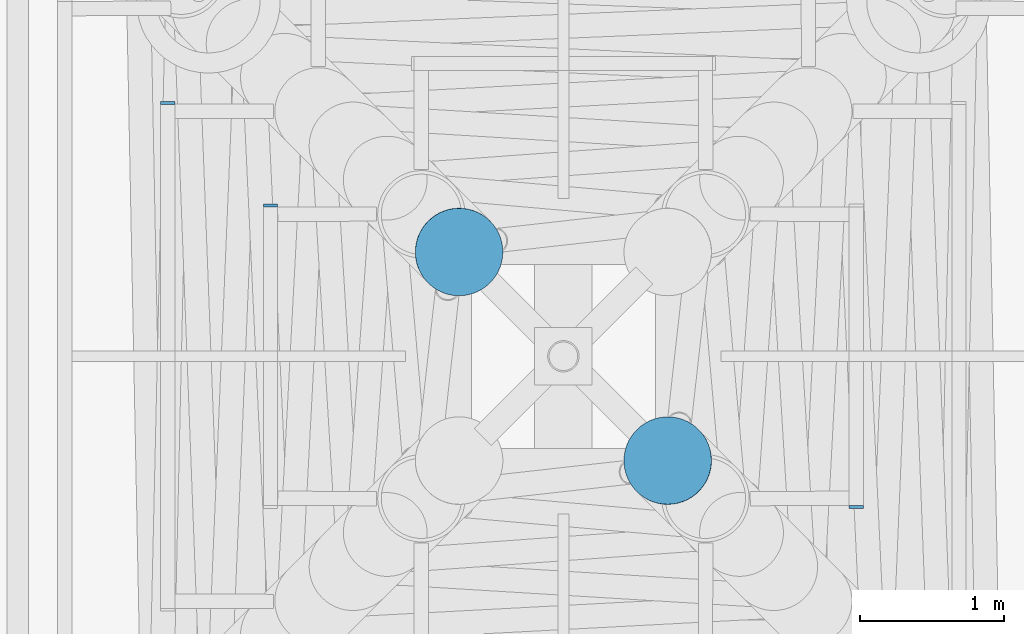
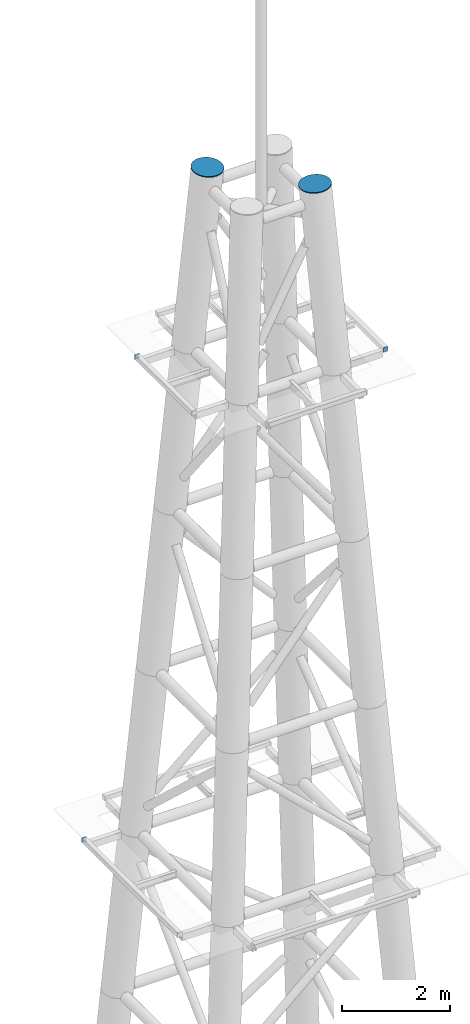
# One storey, part 29 of 36: 5 discrete accessories.
"""IFC4 building model written with IfcOpenShell, lengths in metres."""

from ifc_helpers import new_model, si_unit, direction, frame, origin, origin_2d, place, context, subcontext, project, spatial, rectangle, circle, extrude, material, material_profile, profile_set, type_object, element, save


model = new_model("IFC4")

# Units and contexts
model_context = context("Model", 3, precision=1e-05, world=origin(), true_north=direction((0.0, 1.0)))
body_context = subcontext(model_context, "Body", "Model", "MODEL_VIEW")
ifc_project = project(units=[si_unit("LENGTHUNIT", "METRE"), si_unit("AREAUNIT", "SQUARE_METRE"), si_unit("VOLUMEUNIT", "CUBIC_METRE"), si_unit("PLANEANGLEUNIT", "RADIAN"), si_unit("MASSUNIT", "GRAM", prefix="KILO")], contexts=[model_context])

# Site, building, storey
site_placement = place(None, origin())
site = spatial("IfcSite", under=ifc_project, at=site_placement, CompositionType="ELEMENT")
building_placement = place(site_placement, origin())
building = spatial("IfcBuilding", under=site, at=building_placement, Name="Ipe Terrace Towers", CompositionType="ELEMENT")
storey_placement = place(building_placement, frame((0.0, 0.0, 264.89990234375)))
storey = spatial("IfcBuildingStorey", under=building, at=storey_placement, Name="Roof", CompositionType="ELEMENT", Elevation=264.89990234375)

# Discrete accessories
ifc_material_1 = material(Name="Steel S355", Category="steel")
ifc_material_profile_1 = material_profile(ifc_material_1, rectangle(XDim=0.10009765625, YDim=0.10009765625, at=origin_2d()), Name="MAST END PLATE 100 x 100 x 20")
ifc_profile_set_1 = profile_set([ifc_material_profile_1], Name="Steel S355")
discrete_accessory_type_1 = type_object("IfcDiscreteAccessoryType", Name="MAST END PLATE 100 x 100 x 20", PredefinedType="BRACKET", material=ifc_profile_set_1)
for number, where, z_axis, x_axis, name in (
    (1, (33.2451171875, 1.7548828125, 21.31005859375), (0.0, 1.0, 0.0), (-1.0, 0.0, 0.0), "mast end plate"),
    (2, (38.0390625, -1.0390625, 32.3720703125), (0.0, -1.0, 0.0), (1.0, 0.0, 0.0), "mast end plate"),
    (3, (33.9609375, 1.0390625, 32.3720703125), (0.0, 1.0, 0.0), (-1.0, 0.0, 0.0), "mast end plate"),
):
    element("IfcDiscreteAccessory", number, at=place(storey_placement, frame(where, z_axis=z_axis, x_axis=x_axis)), inside=storey, type_object=discrete_accessory_type_1, Name=name, PredefinedType="BRACKET", context=body_context, shape_type="SweptSolid", body=[
        extrude(rectangle(XDim=0.10009765625, YDim=0.10009765625, at=origin_2d()), origin(), (0.0, 0.0, 1.0), 0.02001953125),
    ])
ifc_material_2 = material(Name="Steel S355", Category="steel")
ifc_material_profile_2 = material_profile(ifc_material_2, circle(Radius=0.304931640625, at=origin_2d()), Name="MAST END PLATE 610 DIA x 20")
ifc_profile_set_2 = profile_set([ifc_material_profile_2], Name="Steel S355")
discrete_accessory_type_2 = type_object("IfcDiscreteAccessoryType", Name="MAST END PLATE 610 DIA x 20", PredefinedType="BRACKET", material=ifc_profile_set_2)
for number, where, z_axis, x_axis, name in (
    (4, (36.72705078125, -0.72705078125, 36.35009765625), (-0.048664825549, 0.048664825549, 0.997628923753), (-0.707106781187, -0.707106781187, 0.0), "mast end plate"),
    (5, (35.27294921875, 0.72705078125, 36.35009765625), (0.048664825549, -0.048664825549, 0.997628923753), (0.707106781187, 0.707106781187, 0.0), "mast end plate"),
):
    element("IfcDiscreteAccessory", number, at=place(storey_placement, frame(where, z_axis=z_axis, x_axis=x_axis)), inside=storey, type_object=discrete_accessory_type_2, Name=name, PredefinedType="BRACKET", context=body_context, shape_type="SweptSolid", body=[
        extrude(circle(Radius=0.304931640625, at=origin_2d()), origin(), (0.0, 0.0, 1.0), 0.02001953125),
    ])

save(model, "model.ifc")
